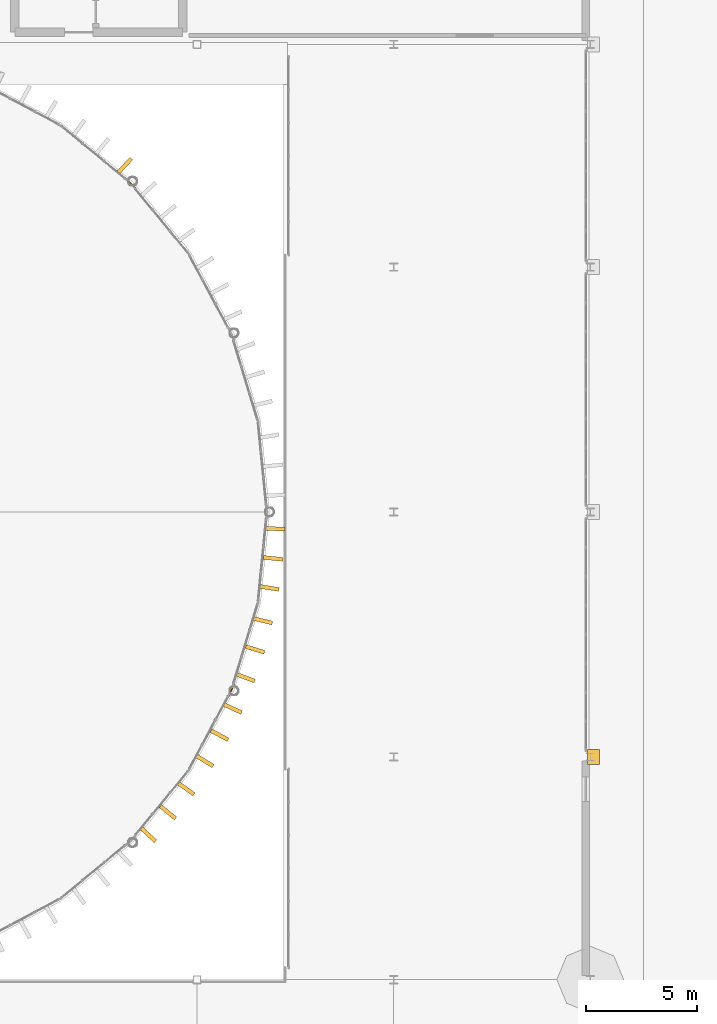
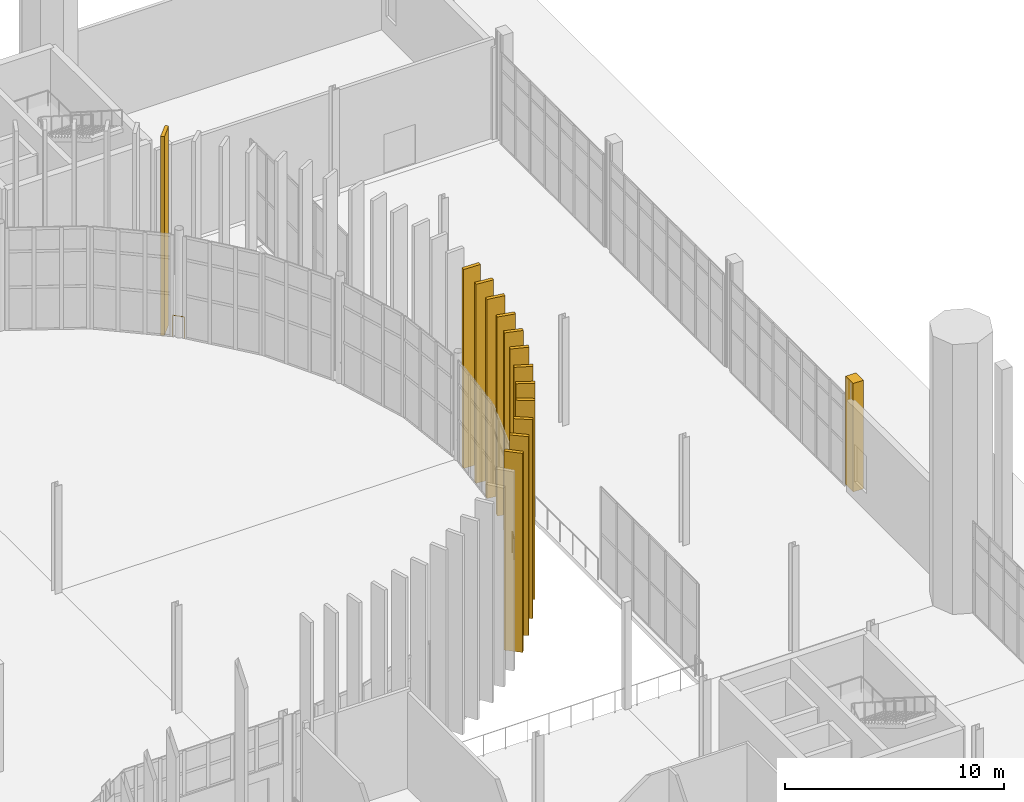
# One storey, part 130 of 139: 14 coverings, 2 railings.
"""IFC4 building model written with IfcOpenShell, lengths in metres."""

from ifc_helpers import new_model, si_unit, direction, frame, origin, origin_2d, place, context, subcontext, project, spatial, polyline, rectangle, circle, outline, extrude, material, layer, layer_set, type_object, element, save


model = new_model("IFC4")

# Units and contexts
model_context = context("Model", 3, precision=1e-05, world=origin(), true_north=direction((0.0, 1.0)))
body_context = subcontext(model_context, "Body", "Model", "MODEL_VIEW")
ifc_project = project(units=[si_unit("LENGTHUNIT", "METRE"), si_unit("AREAUNIT", "SQUARE_METRE"), si_unit("VOLUMEUNIT", "CUBIC_METRE"), si_unit("PLANEANGLEUNIT", "RADIAN"), si_unit("MASSUNIT", "GRAM", prefix="KILO")], contexts=[model_context])

# Site, building, storey
site_placement = place(None, origin())
site = spatial("IfcSite", under=ifc_project, at=site_placement, CompositionType="ELEMENT")
building_placement = place(site_placement, origin())
building = spatial("IfcBuilding", under=site, at=building_placement, Name="Yeouljin Market Hall", CompositionType="ELEMENT")
storey_placement = place(building_placement, origin())
storey = spatial("IfcBuildingStorey", under=building, at=storey_placement, Name="L00", CompositionType="ELEMENT", Elevation=0.0)

# Coverings
ifc_material_1 = material(Name="Clinker Brick Masonry F2-S2", Category="masonry")
ifc_layer_1 = layer(ifc_material_1, 0.5400390625)
ifc_layer_set_1 = layer_set([ifc_layer_1], Name="Clinker Brick Masonry F2-S2")
covering_type_1 = type_object("IfcCoveringType", Name="Covering_Clinker_PleatedPier", PredefinedType="CLADDING", material=ifc_layer_set_1)
covering_placement = place(storey_placement, origin())
element("IfcCovering", 1, at=covering_placement, inside=storey, type_object=covering_type_1, Name="Pleated clinker-brick east facade pier E-029", PredefinedType="CLADDING", context=body_context, shape_type="SweptSolid", body=[
    extrude(outline(polyline([(176.280029296875, 45.659912109375), (176.820068359375, 45.659912109375), (176.820068359375, 46.340087890625), (176.280029296875, 46.340087890625), (176.280029296875, 45.659912109375)])), origin(), (0.0, 0.0, 1.0), 6.050048828125),
])
ifc_material_2 = material(Name="White Limestone and Bronze Solar Fin", Category="masonry")
ifc_layer_2 = layer(ifc_material_2, 0.179931640625)
ifc_layer_set_2 = layer_set([ifc_layer_2], Name="White Limestone and Bronze Solar Fin")
covering_type_2 = type_object("IfcCoveringType", Name="Covering_Limestone_SolarFin", PredefinedType="CLADDING", material=ifc_layer_set_2)
for number, where, z_axis, x_axis, name in (
    (2, (156.554931640625, 42.507568359375, 0.0), (0.0, 0.0, 1.0), (0.731591719395, -0.681743027916, 0.0), "Apse radial vertical lantern fin east 150"),
    (3, (157.43408203125, 43.5126953125, 0.0), (0.0, 0.0, 1.0), (0.772955089162, -0.634460739636, 0.0), "Apse radial vertical lantern fin east 151"),
    (4, (158.24853515625, 44.5712890625, 0.0), (0.0, 0.0, 1.0), (0.811369990919, -0.584532922799, 0.0), "Apse radial vertical lantern fin east 152"),
    (5, (159.08349609375, 45.820556640625, 0.0), (0.0, 0.0, 1.0), (0.850627633385, -0.525768608156, 0.0), "Apse radial vertical lantern fin east 153"),
    (6, (159.74951171875, 46.97802734375, 0.0), (0.0, 0.0, 1.0), (0.881880123865, -0.47147369718, 0.0), "Apse radial vertical lantern fin east 154"),
    (7, (160.341796875, 48.17529296875, 0.0), (0.0, 0.0, 1.0), (0.909744013277, -0.415169640396, 0.0), "Apse radial vertical lantern fin east 155"),
    (8, (160.9169921875, 49.563232421875, 0.0), (0.0, 0.0, 1.0), (0.936855428999, -0.349716892865, 0.0), "Apse radial vertical lantern fin east 156"),
    (9, (161.344482421875, 50.82861328125, 0.0), (0.0, 0.0, 1.0), (0.956965664205, -0.290201167351, 0.0), "Apse radial vertical lantern fin east 157"),
    (10, (161.69189453125, 52.1181640625, 0.0), (0.0, 0.0, 1.0), (0.973259115993, -0.229710019669, 0.0), "Apse radial vertical lantern fin east 158"),
    (11, (161.985107421875, 53.591796875, 0.0), (0.0, 0.0, 1.0), (0.987080395872, -0.160225753504, 0.0), "Apse radial vertical lantern fin east 159"),
    (12, (162.15771484375, 54.916259765625, 0.0), (0.0, 0.0, 1.0), (0.995176169274, -0.098103986207, 0.0), "Apse radial vertical lantern fin east 160"),
    (13, (162.24658203125, 56.248779296875, 0.0), (0.0, 0.0, 1.0), (0.999372416692, -0.035422771708, 0.0), "Apse radial vertical lantern fin east 161"),
    (14, (155.492431640625, 72.554931640625, 0.0), (0.0, 0.0, 1.0), (0.681743027916, 0.731591719395, 0.0), "Apse radial vertical lantern fin east 174"),
):
    element("IfcCovering", number, at=place(storey_placement, frame(where, z_axis=z_axis, x_axis=x_axis)), inside=storey, type_object=covering_type_2, Name=name, PredefinedType="CLADDING", context=body_context, shape_type="SweptSolid", body=[
        extrude(rectangle(XDim=0.8798828125, YDim=0.179931640625, at=origin_2d()), origin(), (0.0, 0.0, 1.0), 11.10009765625),
    ])

# Railings
ifc_material_3 = material(Name="Wrought Iron and Bronze Gallery Balustrade")
railing_type = type_object("IfcRailingType", Name="Railing_AtriumBalustrade_1200", PredefinedType="BALUSTRADE", material=ifc_material_3)
railing_1_placement = place(storey_placement, frame((155.560302734375, 71.95703125, 0.0)))
element("IfcRailing", 15, at=railing_1_placement, inside=storey, type_object=railing_type, Name="Gallery & deck edge balustrade L00-027", PredefinedType="BALUSTRADE", context=body_context, shape_type="SweptSolid", body=[
    extrude(circle(Radius=0.02392578125, at=origin_2d()), frame((0.0, 0.0, 1.17578125), z_axis=(0.707106781187, -0.707106781187, 0.0), x_axis=(0.707106781187, 0.707106781187, 0.0)), (0.0, 0.0, 1.0), 0.56103515625),
    extrude(circle(Radius=0.02099609375, at=origin_2d()), origin(), (0.0, 0.0, 1.0), 1.15185546875),
    extrude(circle(Radius=0.02099609375, at=origin_2d()), frame((0.396728515625, -0.396728515625, 0.0)), (0.0, 0.0, 1.0), 1.15185546875),
])
railing_2_placement = place(storey_placement, frame((160.390380859375, 49.27197265625, 0.0)))
element("IfcRailing", 16, at=railing_2_placement, inside=storey, type_object=railing_type, Name="Gallery & deck edge balustrade L00-030", PredefinedType="BALUSTRADE", context=body_context, shape_type="SweptSolid", body=[
    extrude(circle(Radius=0.02392578125, at=origin_2d()), frame((0.0, 0.0, 1.17578125), z_axis=(-0.382390216249, -0.924000932097, 0.0), x_axis=(0.924000932097, -0.382390216249, 0.0)), (0.0, 0.0, 1.0), 0.561279296875),
    extrude(circle(Radius=0.02099609375, at=origin_2d()), origin(), (0.0, 0.0, 1.0), 1.15185546875),
    extrude(circle(Radius=0.02099609375, at=origin_2d()), frame((-0.214599609375, -0.5185546875, 0.0)), (0.0, 0.0, 1.0), 1.15185546875),
])

save(model, "model.ifc")
